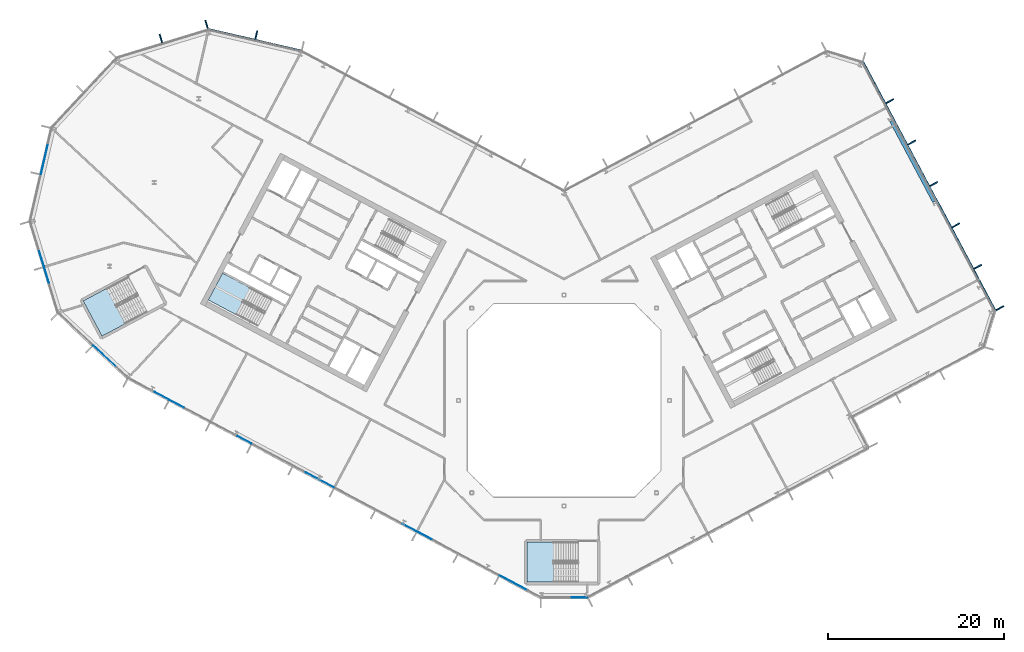
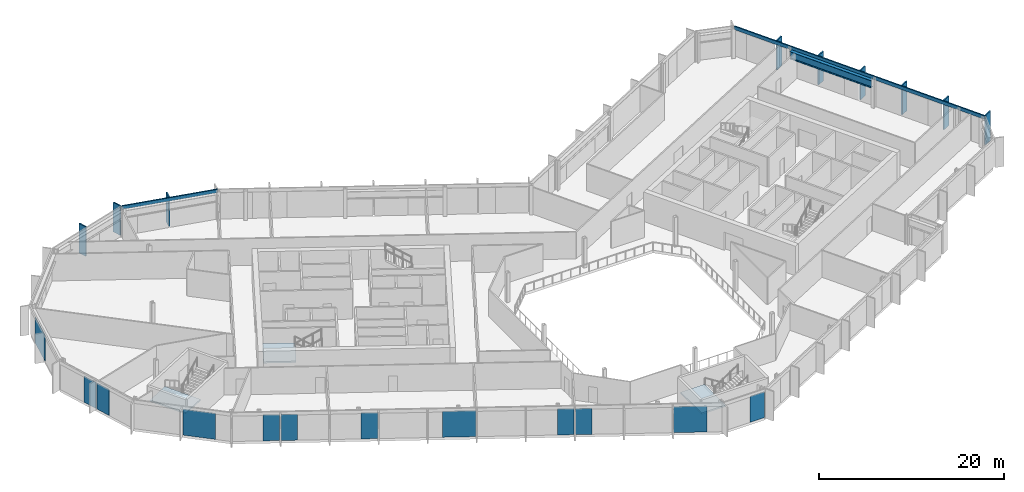
# One storey, part 10 of 27: 12 plates, 11 members, 3 slabs, 1 beam, 11 elements without a shape of their own.
"""IFC4 building model written with IfcOpenShell, lengths in metres."""

from ifc_helpers import new_model, si_unit, direction, frame, origin, origin_2d, place, context, subcontext, project, spatial, polyline, rectangle, i_section, outline, extrude, material, layer, layer_set, material_profile, profile_set, type_object, element, aggregate, save


model = new_model("IFC4")

# Units and contexts
model_context = context("Model", 3, precision=1e-05, world=origin(), true_north=direction((0.0, 1.0)))
body_context = subcontext(model_context, "Body", "Model", "MODEL_VIEW")
ifc_project = project(units=[si_unit("LENGTHUNIT", "METRE"), si_unit("AREAUNIT", "SQUARE_METRE"), si_unit("VOLUMEUNIT", "CUBIC_METRE"), si_unit("PLANEANGLEUNIT", "RADIAN"), si_unit("MASSUNIT", "GRAM", prefix="KILO")], contexts=[model_context])

# Site, building, storey
site_placement = place(None, origin())
site = spatial("IfcSite", under=ifc_project, at=site_placement, CompositionType="ELEMENT")
building_placement = place(site_placement, origin())
building = spatial("IfcBuilding", under=site, at=building_placement, Name="Cormorant Relay Tower", CompositionType="ELEMENT")
storey_placement = place(building_placement, frame((0.0, 0.0, 232.5)))
storey = spatial("IfcBuildingStorey", under=building, at=storey_placement, Name="L51", CompositionType="ELEMENT", Elevation=232.5)

# Curtain wall, members
ifc_material_1 = material(Name="Aluminium 6063-T6 anodised bronze", Category="aluminium")
ifc_layer_1 = layer(ifc_material_1, 0.199951171875)
ifc_layer_set_1 = layer_set([ifc_layer_1], Name="CW1 unitised bronze curtain wall with vertical fins")
curtain_wall_type = type_object("IfcCurtainWallType", Name="CW1 unitised bronze curtain wall with vertical fins", PredefinedType="NOTDEFINED", material=ifc_layer_set_1)
curtain_wall_1_placement = place(storey_placement, origin())
curtain_wall_1 = element("IfcCurtainWall", 1, at=curtain_wall_1_placement, inside=storey, type_object=curtain_wall_type, Name="CW1 curtain wall 6", PredefinedType="NOTDEFINED")
ifc_material_2 = material(Name="Aluminium 6063-T6 anodised bronze", Category="aluminium")
ifc_material_profile_1 = material_profile(ifc_material_2, rectangle(XDim=0.14990234375, YDim=1.0, at=origin_2d()), Name="AL 150x1000")
ifc_profile_set_1 = profile_set([ifc_material_profile_1], Name="Aluminium 6063-T6 anodised bronze")
member_type_1 = type_object("IfcMemberType", Name="CW1 bronze fin mullion 150 x 1000", PredefinedType="MULLION", material=ifc_profile_set_1)
member_1_placement = place(storey_placement, frame((49.572021484375, 10.501953125, 0.0), z_axis=(0.0, 0.0, 1.0), x_axis=(-0.469471562786, 0.882947592859, 0.0)))
member_1 = element("IfcMember", 2, at=member_1_placement, type_object=member_type_1, Name="CW1 fin 6.1", PredefinedType="MULLION", context=body_context, shape_type="SweptSolid", body=[
    extrude(rectangle(XDim=0.14990234375, YDim=1.0, at=origin_2d()), origin(), (0.0, 0.0, 1.0), 3.89990234375),
])
member_2_placement = place(storey_placement, frame((47.068359375, 15.211181640625, 0.0), z_axis=(0.0, 0.0, 1.0), x_axis=(-0.469471562786, 0.882947592859, 0.0)))
member_2 = element("IfcMember", 3, at=member_2_placement, type_object=member_type_1, Name="CW1 fin 6.2", PredefinedType="MULLION", context=body_context, shape_type="SweptSolid", body=[
    extrude(rectangle(XDim=0.14990234375, YDim=1.0, at=origin_2d()), origin(), (0.0, 0.0, 1.0), 3.89990234375),
])
member_3_placement = place(storey_placement, frame((44.564453125, 19.920166015625, 0.0), z_axis=(0.0, 0.0, 1.0), x_axis=(-0.469471562786, 0.882947592859, 0.0)))
member_3 = element("IfcMember", 4, at=member_3_placement, type_object=member_type_1, Name="CW1 fin 6.3", PredefinedType="MULLION", context=body_context, shape_type="SweptSolid", body=[
    extrude(rectangle(XDim=0.14990234375, YDim=1.0, at=origin_2d()), origin(), (0.0, 0.0, 1.0), 3.89990234375),
])
member_4_placement = place(storey_placement, frame((42.060546875, 24.629150390625, 0.0), z_axis=(0.0, 0.0, 1.0), x_axis=(-0.469471562786, 0.882947592859, 0.0)))
member_4 = element("IfcMember", 5, at=member_4_placement, type_object=member_type_1, Name="CW1 fin 6.4", PredefinedType="MULLION", context=body_context, shape_type="SweptSolid", body=[
    extrude(rectangle(XDim=0.14990234375, YDim=1.0, at=origin_2d()), origin(), (0.0, 0.0, 1.0), 3.89990234375),
])
member_5_placement = place(storey_placement, frame((39.556884765625, 29.338134765625, 0.0), z_axis=(0.0, 0.0, 1.0), x_axis=(-0.469471562786, 0.882947592859, 0.0)))
member_5 = element("IfcMember", 6, at=member_5_placement, type_object=member_type_1, Name="CW1 fin 6.5", PredefinedType="MULLION", context=body_context, shape_type="SweptSolid", body=[
    extrude(rectangle(XDim=0.14990234375, YDim=1.0, at=origin_2d()), origin(), (0.0, 0.0, 1.0), 3.89990234375),
])
member_6_placement = place(storey_placement, frame((37.052978515625, 34.04736328125, 0.0), z_axis=(0.0, 0.0, 1.0), x_axis=(-0.469471562786, 0.882947592859, 0.0)))
member_6 = element("IfcMember", 7, at=member_6_placement, type_object=member_type_1, Name="CW1 fin 6.6", PredefinedType="MULLION", context=body_context, shape_type="SweptSolid", body=[
    extrude(rectangle(XDim=0.14990234375, YDim=1.0, at=origin_2d()), origin(), (0.0, 0.0, 1.0), 3.89990234375),
])

# Curtain wall, member
curtain_wall_2_placement = place(storey_placement, origin())
curtain_wall_2 = element("IfcCurtainWall", 8, at=curtain_wall_2_placement, inside=storey, type_object=curtain_wall_type, Name="CW1 curtain wall 10", PredefinedType="NOTDEFINED")
member_7_placement = place(storey_placement, frame((-35.01220703125, 41.57275390625, 0.0), z_axis=(0.0, 0.0, 1.0), x_axis=(-0.974370064785, 0.224951054344, 0.0)))
member_7 = element("IfcMember", 9, at=member_7_placement, type_object=member_type_1, Name="CW1 fin 10.2", PredefinedType="MULLION", context=body_context, shape_type="SweptSolid", body=[
    extrude(rectangle(XDim=0.14990234375, YDim=1.0, at=origin_2d()), origin(), (0.0, 0.0, 1.0), 3.89990234375),
])

# Curtain wall, members
curtain_wall_3_placement = place(storey_placement, origin())
curtain_wall_3 = element("IfcCurtainWall", 10, at=curtain_wall_3_placement, inside=storey, type_object=curtain_wall_type, Name="CW1 curtain wall 11", PredefinedType="NOTDEFINED")
member_8_placement = place(storey_placement, frame((-40.670166015625, 42.78271484375, 0.0), z_axis=(0.0, 0.0, 1.0), x_axis=(-0.956304755963, -0.292371704723, 0.0)))
member_8 = element("IfcMember", 11, at=member_8_placement, type_object=member_type_1, Name="CW1 fin 11.1", PredefinedType="MULLION", context=body_context, shape_type="SweptSolid", body=[
    extrude(rectangle(XDim=0.14990234375, YDim=1.0, at=origin_2d()), origin(), (0.0, 0.0, 1.0), 3.89990234375),
])
member_9_placement = place(storey_placement, frame((-45.867919921875, 41.193603515625, 0.0), z_axis=(0.0, 0.0, 1.0), x_axis=(-0.956304755963, -0.292371704723, 0.0)))
member_9 = element("IfcMember", 12, at=member_9_placement, type_object=member_type_1, Name="CW1 fin 11.2", PredefinedType="MULLION", context=body_context, shape_type="SweptSolid", body=[
    extrude(rectangle(XDim=0.14990234375, YDim=1.0, at=origin_2d()), origin(), (0.0, 0.0, 1.0), 3.89990234375),
])
aggregate(curtain_wall_3, [member_8, member_9])

# Member
ifc_material_3 = material(Name="Aluminium 6063-T6 anodised bronze", Category="aluminium")
ifc_material_profile_2 = material_profile(ifc_material_3, rectangle(XDim=0.159912109375, YDim=0.449951171875, at=origin_2d()), Name="AL 160x450")
ifc_profile_set_2 = profile_set([ifc_material_profile_2], Name="Aluminium 6063-T6 anodised bronze")
member_type_2 = type_object("IfcMemberType", Name="CW1 bronze transom 160 x 450", PredefinedType="USERDEFINED", material=ifc_profile_set_2)
member_10_placement = place(storey_placement, frame((49.06005859375, 10.229736328125, 3.675048828125), z_axis=(-0.46947036835, 0.882948227951, 0.0), x_axis=(-0.882948227951, -0.46947036835, 0.0)))
member_10 = element("IfcMember", 13, at=member_10_placement, type_object=member_type_2, Name="CW1 transom 6", ObjectType="TRANSOM", PredefinedType="USERDEFINED", context=body_context, shape_type="SweptSolid", body=[
    extrude(rectangle(XDim=0.159912109375, YDim=0.449951171875, at=origin_2d()), origin(), (0.0, 0.0, 1.0), 31.999755859375),
])

aggregate(curtain_wall_1, [member_1, member_2, member_3, member_4, member_5, member_6, member_10])

member_11_placement = place(storey_placement, frame((-29.8466796875, 39.784912109375, 3.675048828125), z_axis=(-0.974365070969, 0.224972683844, 0.0), x_axis=(-0.224972683844, -0.974365070969, 0.0)))
member_11 = element("IfcMember", 14, at=member_11_placement, type_object=member_type_2, Name="CW1 transom 10", ObjectType="TRANSOM", PredefinedType="USERDEFINED", context=body_context, shape_type="SweptSolid", body=[
    extrude(rectangle(XDim=0.159912109375, YDim=0.449951171875, at=origin_2d()), origin(), (0.0, 0.0, 1.0), 10.870361328125),
])

aggregate(curtain_wall_2, [member_7, member_11])

# Beam
ifc_material_4 = material(Name="Steel ASTM A992 (Fy 345 MPa)", Category="steel")
ifc_material_profile_3 = material_profile(ifc_material_4, i_section(OverallWidth=0.4013671875, OverallDepth=0.990478515625, WebThickness=0.0166015625, FlangeThickness=0.031005859375, FilletRadius=0.030029296875, at=origin_2d()), Name="W1000x320")
ifc_profile_set_3 = profile_set([ifc_material_profile_3], Name="Steel ASTM A992 (Fy 345 MPa)")
beam_type = type_object("IfcBeamType", Name="Spandrel W1000x320", PredefinedType="SPANDREL", material=ifc_profile_set_3)
beam_placement = place(storey_placement, frame((42.109619140625, 22.61865234375, 3.044677734375), z_axis=(-0.469476269233, 0.882945090381, 0.0), x_axis=(-0.882945090381, -0.469476269233, 0.0)))
element("IfcBeam", 15, at=beam_placement, inside=storey, type_object=beam_type, Name="Spandrel beam L51-006", PredefinedType="SPANDREL", context=body_context, shape_type="SweptSolid", body=[
    extrude(i_section(OverallWidth=0.4013671875, OverallDepth=0.990478515625, WebThickness=0.0166015625, FlangeThickness=0.031005859375, FilletRadius=0.030029296875, at=origin_2d()), origin(), (0.0, 0.0, 1.0), 10.396484375),
])

# Curtain wall, plate
curtain_wall_4_placement = place(storey_placement, origin())
curtain_wall_4 = element("IfcCurtainWall", 16, at=curtain_wall_4_placement, inside=storey, type_object=curtain_wall_type, Name="CW1 curtain wall 1", PredefinedType="NOTDEFINED")
ifc_material_5 = material(Name="Tinted laminated glass", Category="glass")
ifc_layer_2 = layer(ifc_material_5, 0.0400390625)
ifc_layer_set_2 = layer_set([ifc_layer_2], Name="CW1 tinted vision panel 1800 module")
plate_type_1 = type_object("IfcPlateType", Name="CW1 tinted vision panel 1800 module", PredefinedType="CURTAIN_PANEL", material=ifc_layer_set_2)
plate_1_placement = place(storey_placement, frame((1.748779296875, -22.3955078125, 0.0), z_axis=(0.0, 0.0, 1.0), x_axis=(1.0, 0.0, 0.0)))
plate_1 = element("IfcPlate", 17, at=plate_1_placement, type_object=plate_type_1, Name="CW1 panel V01", PredefinedType="CURTAIN_PANEL", context=body_context, shape_type="SweptSolid", body=[
    extrude(rectangle(XDim=1.800048828125, YDim=0.0400390625, at=origin_2d()), origin(), (0.0, 0.0, 1.0), 3.449951171875),
])
aggregate(curtain_wall_4, [plate_1])

# Curtain wall, plates
curtain_wall_5_placement = place(storey_placement, origin())
curtain_wall_5 = element("IfcCurtainWall", 18, at=curtain_wall_5_placement, inside=storey, type_object=curtain_wall_type, Name="CW1 curtain wall 14", PredefinedType="NOTDEFINED")
plate_2_placement = place(storey_placement, frame((-59.434814453125, 16.122314453125, 0.0), z_axis=(0.0, 0.0, 1.0), x_axis=(0.292371704723, -0.956304755963, 0.0)))
plate_2 = element("IfcPlate", 19, at=plate_2_placement, type_object=plate_type_1, Name="CW1 panel V01", PredefinedType="CURTAIN_PANEL", context=body_context, shape_type="SweptSolid", body=[
    extrude(rectangle(XDim=1.800048828125, YDim=0.0400390625, at=origin_2d()), origin(), (0.0, 0.0, 1.0), 3.449951171875),
])
plate_3_placement = place(storey_placement, frame((-58.86474609375, 14.25732421875, 0.0), z_axis=(0.0, 0.0, 1.0), x_axis=(0.292371704723, -0.956304755963, 0.0)))
plate_3 = element("IfcPlate", 20, at=plate_3_placement, type_object=plate_type_1, Name="CW1 panel V02", PredefinedType="CURTAIN_PANEL", context=body_context, shape_type="SweptSolid", body=[
    extrude(rectangle(XDim=1.800048828125, YDim=0.0400390625, at=origin_2d()), origin(), (0.0, 0.0, 1.0), 3.449951171875),
])
aggregate(curtain_wall_5, [plate_2, plate_3])

curtain_wall_6_placement = place(storey_placement, origin())
curtain_wall_6 = element("IfcCurtainWall", 21, at=curtain_wall_6_placement, inside=storey, type_object=curtain_wall_type, Name="CW1 curtain wall 16", PredefinedType="NOTDEFINED")
plate_4_placement = place(storey_placement, frame((-45.767578125, 0.5283203125, 0.0), z_axis=(0.0, 0.0, 1.0), x_axis=(0.882947592859, -0.469471562786, 0.0)))
plate_4 = element("IfcPlate", 22, at=plate_4_placement, type_object=plate_type_1, Name="CW1 panel V01", PredefinedType="CURTAIN_PANEL", context=body_context, shape_type="SweptSolid", body=[
    extrude(rectangle(XDim=1.800048828125, YDim=0.0400390625, at=origin_2d()), origin(), (0.0, 0.0, 1.0), 3.449951171875),
])
plate_5_placement = place(storey_placement, frame((-44.0458984375, -0.38720703125, 0.0), z_axis=(0.0, 0.0, 1.0), x_axis=(0.882947592859, -0.469471562786, 0.0)))
plate_5 = element("IfcPlate", 23, at=plate_5_placement, type_object=plate_type_1, Name="CW1 panel V02", PredefinedType="CURTAIN_PANEL", context=body_context, shape_type="SweptSolid", body=[
    extrude(rectangle(XDim=1.800048828125, YDim=0.0400390625, at=origin_2d()), origin(), (0.0, 0.0, 1.0), 3.449951171875),
])
plate_6_placement = place(storey_placement, frame((-36.37890625, -4.463623046875, 0.0), z_axis=(0.0, 0.0, 1.0), x_axis=(0.882947592859, -0.469471562786, 0.0)))
plate_6 = element("IfcPlate", 24, at=plate_6_placement, type_object=plate_type_1, Name="CW1 panel V04", PredefinedType="CURTAIN_PANEL", context=body_context, shape_type="SweptSolid", body=[
    extrude(rectangle(XDim=1.800048828125, YDim=0.0400390625, at=origin_2d()), origin(), (0.0, 0.0, 1.0), 3.449951171875),
])
plate_7_placement = place(storey_placement, frame((-17.601806640625, -14.447509765625, 0.0), z_axis=(0.0, 0.0, 1.0), x_axis=(0.882947592859, -0.469471562786, 0.0)))
plate_7 = element("IfcPlate", 25, at=plate_7_placement, type_object=plate_type_1, Name="CW1 panel V08", PredefinedType="CURTAIN_PANEL", context=body_context, shape_type="SweptSolid", body=[
    extrude(rectangle(XDim=1.800048828125, YDim=0.0400390625, at=origin_2d()), origin(), (0.0, 0.0, 1.0), 3.449951171875),
])
plate_8_placement = place(storey_placement, frame((-15.880126953125, -15.363037109375, 0.0), z_axis=(0.0, 0.0, 1.0), x_axis=(0.882947592859, -0.469471562786, 0.0)))
plate_8 = element("IfcPlate", 26, at=plate_8_placement, type_object=plate_type_1, Name="CW1 panel V09", PredefinedType="CURTAIN_PANEL", context=body_context, shape_type="SweptSolid", body=[
    extrude(rectangle(XDim=1.800048828125, YDim=0.0400390625, at=origin_2d()), origin(), (0.0, 0.0, 1.0), 3.449951171875),
])

# Curtain wall, plate
curtain_wall_7_placement = place(storey_placement, origin())
curtain_wall_7 = element("IfcCurtainWall", 27, at=curtain_wall_7_placement, inside=storey, type_object=curtain_wall_type, Name="CW1 curtain wall 13", PredefinedType="NOTDEFINED")
ifc_material_6 = material(Name="Tinted laminated glass", Category="glass")
ifc_layer_3 = layer(ifc_material_6, 0.0400390625)
ifc_layer_set_3 = layer_set([ifc_layer_3], Name="CW1 tinted vision panel 3600 module")
plate_type_2 = type_object("IfcPlateType", Name="CW1 tinted vision panel 3600 module", PredefinedType="CURTAIN_PANEL", material=ifc_layer_set_3)
plate_9_placement = place(storey_placement, frame((-59.094970703125, 27.520751953125, 0.0), z_axis=(0.0, 0.0, 1.0), x_axis=(-0.224951054344, -0.974370064785, 0.0)))
plate_9 = element("IfcPlate", 28, at=plate_9_placement, type_object=plate_type_2, Name="CW1 panel V01", PredefinedType="CURTAIN_PANEL", context=body_context, shape_type="SweptSolid", body=[
    extrude(rectangle(XDim=3.60009765625, YDim=0.0400390625, at=origin_2d()), origin(), (0.0, 0.0, 1.0), 3.449951171875),
])
aggregate(curtain_wall_7, [plate_9])

curtain_wall_8_placement = place(storey_placement, origin())
curtain_wall_8 = element("IfcCurtainWall", 29, at=curtain_wall_8_placement, inside=storey, type_object=curtain_wall_type, Name="CW1 curtain wall 15", PredefinedType="NOTDEFINED")
plate_10_placement = place(storey_placement, frame((-52.208984375, 4.997802734375, 0.0), z_axis=(0.0, 0.0, 1.0), x_axis=(0.731353701619, -0.681998360062, 0.0)))
plate_10 = element("IfcPlate", 30, at=plate_10_placement, type_object=plate_type_2, Name="CW1 panel V01", PredefinedType="CURTAIN_PANEL", context=body_context, shape_type="SweptSolid", body=[
    extrude(rectangle(XDim=3.60009765625, YDim=0.0400390625, at=origin_2d()), origin(), (0.0, 0.0, 1.0), 3.449951171875),
])
aggregate(curtain_wall_8, [plate_10])

# Plate
plate_11_placement = place(storey_placement, frame((-27.78515625, -9.032958984375, 0.0), z_axis=(0.0, 0.0, 1.0), x_axis=(0.882947592859, -0.469471562786, 0.0)))
plate_11 = element("IfcPlate", 31, at=plate_11_placement, type_object=plate_type_2, Name="CW1 panel V06", PredefinedType="CURTAIN_PANEL", context=body_context, shape_type="SweptSolid", body=[
    extrude(rectangle(XDim=3.60009765625, YDim=0.0400390625, at=origin_2d()), origin(), (0.0, 0.0, 1.0), 3.449951171875),
])

plate_12_placement = place(storey_placement, frame((-5.697021484375, -20.777587890625, 0.0), z_axis=(0.0, 0.0, 1.0), x_axis=(0.882947592859, -0.469471562786, 0.0)))
plate_12 = element("IfcPlate", 32, at=plate_12_placement, type_object=plate_type_2, Name="CW1 panel V11", PredefinedType="CURTAIN_PANEL", context=body_context, shape_type="SweptSolid", body=[
    extrude(rectangle(XDim=3.60009765625, YDim=0.0400390625, at=origin_2d()), origin(), (0.0, 0.0, 1.0), 3.449951171875),
])

aggregate(curtain_wall_6, [plate_4, plate_5, plate_6, plate_11, plate_7, plate_8, plate_12])

# Stair, slab
ifc_material_7 = material(Name="Concrete 40 MPa", Category="concrete")
stair_type_1 = type_object("IfcStairType", Name="Exit stair 1500", PredefinedType="HALF_TURN_STAIR", material=ifc_material_7)
stair_1_placement = place(storey_placement, origin())
stair_1 = element("IfcStair", 33, at=stair_1_placement, inside=storey, type_object=stair_type_1, Name="L51 Stair", PredefinedType="HALF_TURN_STAIR")
ifc_material_8 = material(Name="Concrete 40 MPa", Category="concrete")
ifc_layer_4 = layer(ifc_material_8, 0.199951171875)
ifc_layer_set_4 = layer_set([ifc_layer_4], Name="Exit stair landing 200")
slab_type = type_object("IfcSlabType", Name="Exit stair landing 200", PredefinedType="LANDING", material=ifc_layer_set_4)
slab_1_placement = place(storey_placement, frame((0.0, 0.0, 1.75)))
slab_1 = element("IfcSlab", 34, at=slab_1_placement, type_object=slab_type, Name="A2 landing 1", PredefinedType="LANDING", context=body_context, shape_type="SweptSolid", body=[
    extrude(outline(polyline([(-35.71337890625, 12.816650390625), (-38.84765625, 14.483154296875), (-40.467529296875, 11.43701171875), (-37.3330078125, 9.7705078125), (-35.71337890625, 12.816650390625)])), origin(), (0.0, 0.0, 1.0), 0.199951171875),
])
aggregate(stair_1, [slab_1])

ifc_material_9 = material(Name="Concrete 40 MPa", Category="concrete")
stair_type_2 = type_object("IfcStairType", Name="Remote exit stair 2200", PredefinedType="HALF_TURN_STAIR", material=ifc_material_9)
stair_2_placement = place(storey_placement, origin())
stair_2 = element("IfcStair", 35, at=stair_2_placement, inside=storey, type_object=stair_type_2, Name="L51 Stair", PredefinedType="HALF_TURN_STAIR")
slab_2_placement = place(storey_placement, frame((0.0, 0.0, 1.75)))
slab_2 = element("IfcSlab", 36, at=slab_2_placement, type_object=slab_type, Name="RK1 landing 1", PredefinedType="LANDING", context=body_context, shape_type="SweptSolid", body=[
    extrude(outline(polyline([(-1.199951171875, -16.125), (-4.199951171875, -16.125), (-4.199951171875, -20.675048828125), (-1.199951171875, -20.675048828125), (-1.199951171875, -16.125)])), origin(), (0.0, 0.0, 1.0), 0.199951171875),
])
aggregate(stair_2, [slab_2])

stair_3_placement = place(storey_placement, origin())
stair_3 = element("IfcStair", 37, at=stair_3_placement, inside=storey, type_object=stair_type_2, Name="L51 Stair", PredefinedType="HALF_TURN_STAIR")
slab_3_placement = place(storey_placement, frame((0.0, 0.0, 1.75)))
slab_3 = element("IfcSlab", 38, at=slab_3_placement, type_object=slab_type, Name="RP1 landing 1", PredefinedType="LANDING", context=body_context, shape_type="SweptSolid", body=[
    extrude(outline(polyline([(-52.051025390625, 12.7392578125), (-54.699951171875, 11.330810546875), (-52.563720703125, 7.3134765625), (-49.914794921875, 8.721923828125), (-52.051025390625, 12.7392578125)])), origin(), (0.0, 0.0, 1.0), 0.199951171875),
])
aggregate(stair_3, [slab_3])

save(model, "model.ifc")
